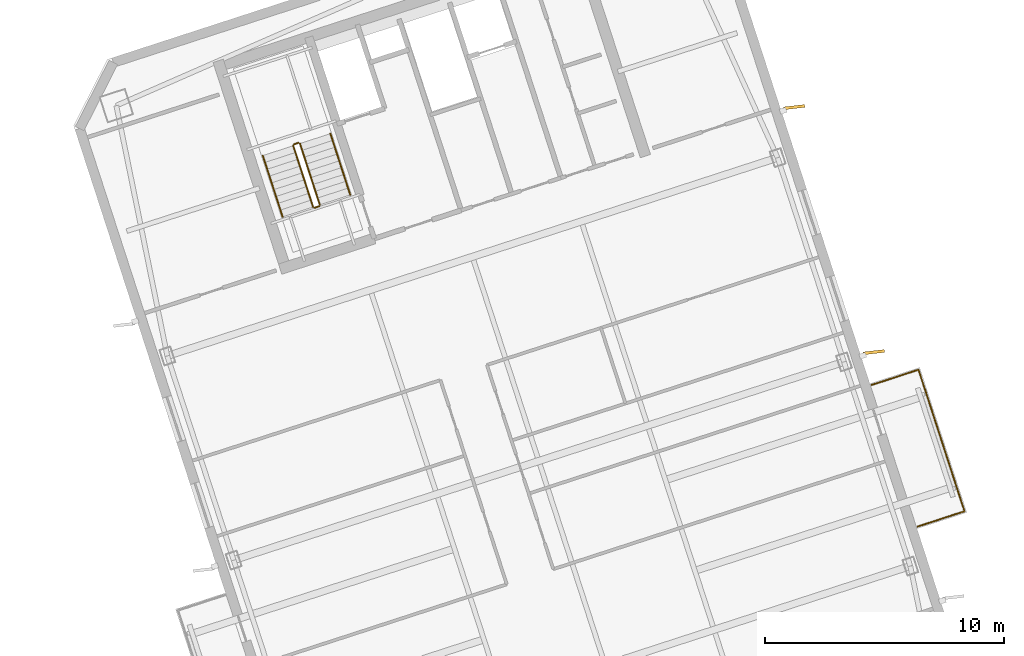
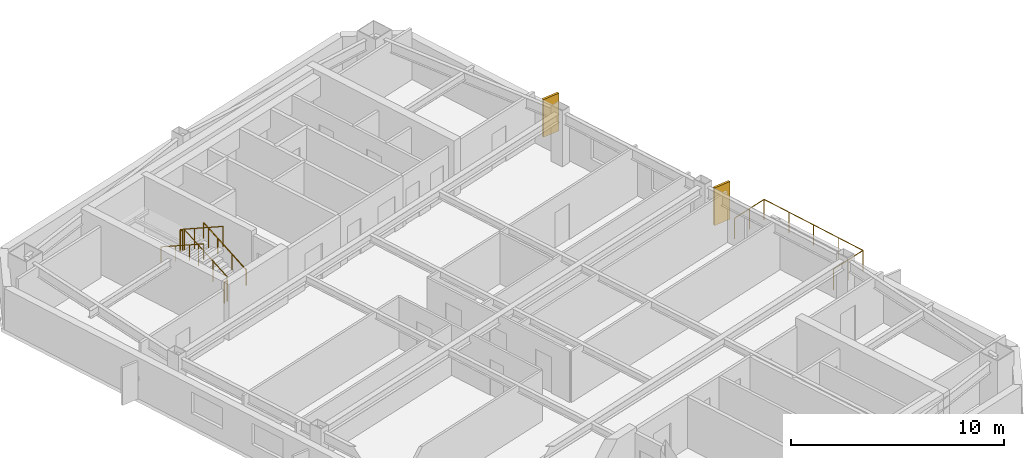
# One storey, part 18 of 18: 7 railings, 2 shading devices.
"""IFC4 building model written with IfcOpenShell, lengths in metres."""

from ifc_helpers import new_model, si_unit, direction, frame, origin, origin_2d, place, context, subcontext, project, spatial, rectangle, circle, extrude, material, layer, layer_set, type_object, element, save


model = new_model("IFC4")

# Units and contexts
model_context = context("Model", 3, precision=1e-05, world=origin(), true_north=direction((0.0, 1.0)))
body_context = subcontext(model_context, "Body", "Model", "MODEL_VIEW")
ifc_project = project(units=[si_unit("LENGTHUNIT", "METRE"), si_unit("AREAUNIT", "SQUARE_METRE"), si_unit("VOLUMEUNIT", "CUBIC_METRE"), si_unit("PLANEANGLEUNIT", "RADIAN"), si_unit("MASSUNIT", "GRAM", prefix="KILO")], contexts=[model_context])

# Site, building, storey
site_placement = place(None, origin())
site = spatial("IfcSite", under=ifc_project, at=site_placement, CompositionType="ELEMENT")
building_placement = place(site_placement, origin())
building = spatial("IfcBuilding", under=site, at=building_placement, Name="Qiaolan Cultural Towers", CompositionType="ELEMENT")
storey_placement = place(building_placement, frame((0.0, 0.0, 237.60009765625)))
storey = spatial("IfcBuildingStorey", under=building, at=storey_placement, Name="L64", CompositionType="ELEMENT", Elevation=237.60009765625)

# Railings
ifc_material_1 = material(Name="Laminated SentryGlas & Stainless Steel S31608 Balustrade", Category="steel")
railing_type_1 = type_object("IfcRailingType", Name="GRD-TERR-1200", PredefinedType="BALUSTRADE", material=ifc_material_1)
railing_1_placement = place(storey_placement, frame((105.87646484375, 31.25146484375, 0.0)))
element("IfcRailing", 1, at=railing_1_placement, inside=storey, type_object=railing_type_1, Name="L64 T2 Tree Balcony Guardrail E", PredefinedType="BALUSTRADE", context=body_context, shape_type="SweptSolid", body=[
    extrude(circle(Radius=0.02392578125, at=origin_2d()), frame((0.0, 0.0, 1.17578125), z_axis=(0.951050536716, 0.309035397023, 0.0), x_axis=(-0.309035397023, 0.951050536716, 0.0)), (0.0, 0.0, 1.0), 2.06982421875),
    extrude(circle(Radius=0.02392578125, at=origin_2d()), frame((1.968505859375, 0.6396484375, 1.17578125), z_axis=(-0.30901175762, 0.951058217804, 0.0), x_axis=(-0.951058217804, -0.30901175762, 0.0)), (0.0, 0.0, 1.0), 6.239990234375),
    extrude(circle(Radius=0.02392578125, at=origin_2d()), frame((0.040283203125, 6.57421875, 1.17578125), z_axis=(-0.951061799618, -0.309000733507, 0.0), x_axis=(0.309000733507, -0.951061799618, 0.0)), (0.0, 0.0, 1.0), 2.070068359375),
    extrude(circle(Radius=0.02099609375, at=origin_2d()), origin(), (0.0, 0.0, 1.0), 1.15185546875),
    extrude(circle(Radius=0.02099609375, at=origin_2d()), frame((0.984375, 0.31982421875, 0.0)), (0.0, 0.0, 1.0), 1.15185546875),
    extrude(circle(Radius=0.02099609375, at=origin_2d()), frame((1.968505859375, 0.6396484375, 0.0)), (0.0, 0.0, 1.0), 1.15185546875),
    extrude(circle(Radius=0.02099609375, at=origin_2d()), frame((1.486328125, 2.123291015625, 0.0)), (0.0, 0.0, 1.0), 1.15185546875),
    extrude(circle(Radius=0.02099609375, at=origin_2d()), frame((1.00439453125, 3.60693359375, 0.0)), (0.0, 0.0, 1.0), 1.15185546875),
    extrude(circle(Radius=0.02099609375, at=origin_2d()), frame((0.5224609375, 5.090576171875, 0.0)), (0.0, 0.0, 1.0), 1.15185546875),
    extrude(circle(Radius=0.02099609375, at=origin_2d()), frame((0.040283203125, 6.57421875, 0.0)), (0.0, 0.0, 1.0), 1.15185546875),
    extrude(circle(Radius=0.02099609375, at=origin_2d()), frame((-0.944091796875, 6.25439453125, 0.0)), (0.0, 0.0, 1.0), 1.15185546875),
    extrude(circle(Radius=0.02099609375, at=origin_2d()), frame((-1.928466796875, 5.9345703125, 0.0)), (0.0, 0.0, 1.0), 1.15185546875),
])
ifc_material_2 = material(Name="Galvanized Painted Steel Stair Guardrail", Category="steel")
railing_type_2 = type_object("IfcRailingType", Name="RL-STAIR-GRD", PredefinedType="GUARDRAIL", material=ifc_material_2)
railing_2_placement = place(storey_placement, frame((80.822021484375, 44.739501953125, 0.159912109375)))
element("IfcRailing", 2, at=railing_2_placement, inside=storey, type_object=railing_type_2, Name="L64 ST-E2 stair guard 1", PredefinedType="GUARDRAIL", context=body_context, shape_type="SweptSolid", body=[
    extrude(circle(Radius=0.02392578125, at=origin_2d()), frame((0.0, 0.0, 1.17578125), z_axis=(-0.272627622392, 0.839185640129, 0.470575860951), x_axis=(-0.951069945308, -0.308975661068, 0.0)), (0.0, 0.0, 1.0), 3.06005859375),
    extrude(circle(Radius=0.02099609375, at=origin_2d()), origin(), (0.0, 0.0, 1.0), 1.15185546875),
    extrude(circle(Radius=0.02099609375, at=origin_2d()), frame((-0.278076171875, 0.85595703125, 0.47998046875)), (0.0, 0.0, 1.0), 1.15185546875),
    extrude(circle(Radius=0.02099609375, at=origin_2d()), frame((-0.55615234375, 1.7119140625, 0.9599609375)), (0.0, 0.0, 1.0), 1.15185546875),
    extrude(circle(Radius=0.02099609375, at=origin_2d()), frame((-0.834228515625, 2.56787109375, 1.43994140625)), (0.0, 0.0, 1.0), 1.15185546875),
])
railing_3_placement = place(storey_placement, frame((79.9248046875, 47.33935546875, 1.599853515625)))
element("IfcRailing", 3, at=railing_3_placement, inside=storey, type_object=railing_type_2, Name="L64 ST-E2 stair guard 2", PredefinedType="GUARDRAIL", context=body_context, shape_type="SweptSolid", body=[
    extrude(circle(Radius=0.02392578125, at=origin_2d()), frame((0.0, 0.0, 1.17578125), z_axis=(-0.951096855055, -0.308892816854, 0.0), x_axis=(0.308892816854, -0.951096855055, 0.0)), (0.0, 0.0, 1.0), 0.199951171875),
    extrude(circle(Radius=0.02099609375, at=origin_2d()), origin(), (0.0, 0.0, 1.0), 1.15185546875),
    extrude(circle(Radius=0.02099609375, at=origin_2d()), frame((-0.190185546875, -0.061767578125, 0.0)), (0.0, 0.0, 1.0), 1.15185546875),
])
railing_4_placement = place(storey_placement, frame((79.702392578125, 47.214599609375, 1.760009765625)))
element("IfcRailing", 4, at=railing_4_placement, inside=storey, type_object=railing_type_2, Name="L64 ST-E2 stair guard 3", PredefinedType="GUARDRAIL", context=body_context, shape_type="SweptSolid", body=[
    extrude(circle(Radius=0.02392578125, at=origin_2d()), frame((0.0, 0.0, 1.17578125), z_axis=(0.272701475514, -0.839167384275, 0.470565623926), x_axis=(0.951043371037, 0.309057448393, 0.0)), (0.0, 0.0, 1.0), 3.06005859375),
    extrude(circle(Radius=0.02099609375, at=origin_2d()), origin(), (0.0, 0.0, 1.0), 1.15185546875),
    extrude(circle(Radius=0.02099609375, at=origin_2d()), frame((0.278076171875, -0.85595703125, 0.47998046875)), (0.0, 0.0, 1.0), 1.15185546875),
    extrude(circle(Radius=0.02099609375, at=origin_2d()), frame((0.556396484375, -1.7119140625, 0.9599609375)), (0.0, 0.0, 1.0), 1.15185546875),
    extrude(circle(Radius=0.02099609375, at=origin_2d()), frame((0.83447265625, -2.56787109375, 1.43994140625)), (0.0, 0.0, 1.0), 1.15185546875),
])
railing_5_placement = place(storey_placement, frame((80.7900390625, 44.676513671875, 0.0)))
element("IfcRailing", 5, at=railing_5_placement, inside=storey, type_object=railing_type_2, Name="L64 ST-E2 stair guard 4", PredefinedType="GUARDRAIL", context=body_context, shape_type="SweptSolid", body=[
    extrude(circle(Radius=0.02392578125, at=origin_2d()), frame((0.0, 0.0, 1.17578125), z_axis=(-0.951096855055, -0.308892816854, 0.0), x_axis=(0.308892816854, -0.951096855055, 0.0)), (0.0, 0.0, 1.0), 0.199951171875),
    extrude(circle(Radius=0.02099609375, at=origin_2d()), origin(), (0.0, 0.0, 1.0), 1.15185546875),
    extrude(circle(Radius=0.02099609375, at=origin_2d()), frame((-0.190185546875, -0.061767578125, 0.0)), (0.0, 0.0, 1.0), 1.15185546875),
])
ifc_material_3 = material(Name="Stainless Steel S30408 Tubular Handrail", Category="steel")
railing_type_3 = type_object("IfcRailingType", Name="RL-STAIR-HR", PredefinedType="HANDRAIL", material=ifc_material_3)
railing_6_placement = place(storey_placement, frame((82.096435546875, 45.153564453125, 0.159912109375)))
element("IfcRailing", 6, at=railing_6_placement, inside=storey, type_object=railing_type_3, Name="L64 ST-E2 stair handrail 1", PredefinedType="HANDRAIL", context=body_context, shape_type="SweptSolid", body=[
    extrude(circle(Radius=0.02392578125, at=origin_2d()), frame((0.0, 0.0, 0.8759765625), z_axis=(-0.272627622392, 0.839185640129, 0.470575860951), x_axis=(-0.951069945308, -0.308975661068, 0.0)), (0.0, 0.0, 1.0), 3.06005859375),
    extrude(circle(Radius=0.02099609375, at=origin_2d()), origin(), (0.0, 0.0, 1.0), 0.851806640625),
    extrude(circle(Radius=0.02099609375, at=origin_2d()), frame((-0.278076171875, 0.85595703125, 0.47998046875)), (0.0, 0.0, 1.0), 0.851806640625),
    extrude(circle(Radius=0.02099609375, at=origin_2d()), frame((-0.55615234375, 1.7119140625, 0.9599609375)), (0.0, 0.0, 1.0), 0.851806640625),
    extrude(circle(Radius=0.02099609375, at=origin_2d()), frame((-0.834228515625, 2.56787109375, 1.43994140625)), (0.0, 0.0, 1.0), 0.851806640625),
])
railing_7_placement = place(storey_placement, frame((78.427978515625, 46.800537109375, 1.760009765625)))
element("IfcRailing", 7, at=railing_7_placement, inside=storey, type_object=railing_type_3, Name="L64 ST-E2 stair handrail 2", PredefinedType="HANDRAIL", context=body_context, shape_type="SweptSolid", body=[
    extrude(circle(Radius=0.02392578125, at=origin_2d()), frame((0.0, 0.0, 0.8759765625), z_axis=(0.272701475514, -0.839167384275, 0.470565623926), x_axis=(0.951043371037, 0.309057448393, 0.0)), (0.0, 0.0, 1.0), 3.06005859375),
    extrude(circle(Radius=0.02099609375, at=origin_2d()), origin(), (0.0, 0.0, 1.0), 0.851806640625),
    extrude(circle(Radius=0.02099609375, at=origin_2d()), frame((0.278076171875, -0.85595703125, 0.47998046875)), (0.0, 0.0, 1.0), 0.851806640625),
    extrude(circle(Radius=0.02099609375, at=origin_2d()), frame((0.556396484375, -1.7119140625, 0.9599609375)), (0.0, 0.0, 1.0), 0.851806640625),
    extrude(circle(Radius=0.02099609375, at=origin_2d()), frame((0.83447265625, -2.56787109375, 1.43994140625)), (0.0, 0.0, 1.0), 0.851806640625),
])

# Shading devices
ifc_material_4 = material(Name="Light Limestone Precast Vertical Fin", Category="masonry")
ifc_layer = layer(ifc_material_4, 0.1201171875)
ifc_layer_set = layer_set([ifc_layer], Name="Light Limestone Precast Vertical Fin")
shading_device_type = type_object("IfcShadingDeviceType", Name="SHD-FIN-WHITE", PredefinedType="USERDEFINED", material=ifc_layer_set)
for number, where, z_axis, x_axis, name in (
    (8, (104.03759765625, 38.56103515625, 0.10009765625), (0.0, 0.0, 1.0), (0.993553402645, 0.113365056754, 0.0), "L64 T2 Expressive Precast Vertical Fin E2"),
    (9, (100.7001953125, 48.83251953125, 0.10009765625), (0.0, 0.0, 1.0), (0.993553402645, 0.113365056754, 0.0), "L64 T2 Expressive Precast Vertical Fin E3"),
):
    element("IfcShadingDevice", number, at=place(storey_placement, frame(where, z_axis=z_axis, x_axis=x_axis)), inside=storey, type_object=shading_device_type, Name=name, ObjectType="FIN", PredefinedType="USERDEFINED", context=body_context, shape_type="SweptSolid", body=[
        extrude(rectangle(XDim=0.89990234375, YDim=0.1201171875, at=origin_2d()), origin(), (0.0, 0.0, 1.0), 2.159912109375),
    ])

save(model, "model.ifc")
